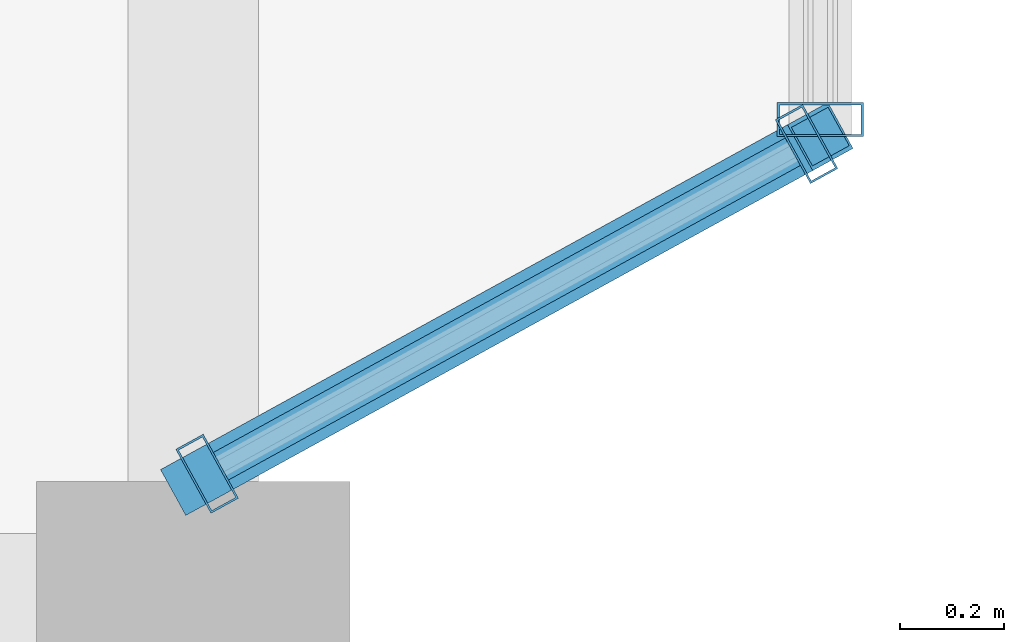
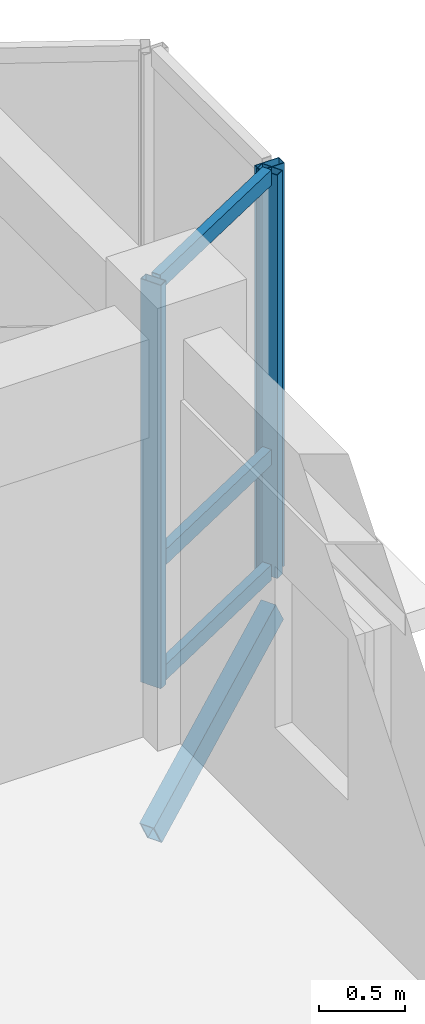
# One storey, part 8 of 124: 7 members, 2 elements without a shape of their own.
"""IFC4 building model written with IfcOpenShell, lengths in metres."""

from ifc_helpers import new_model, si_unit, direction, frame, origin, origin_2d, place, context, subcontext, project, spatial, hollow_rectangle, extrude, material, layer, layer_set, material_profile, profile_set, type_object, element, aggregate, save


model = new_model("IFC4")

# Units and contexts
model_context = context("Model", 3, precision=1e-05, world=origin(), true_north=direction((0.0, 1.0)))
body_context = subcontext(model_context, "Body", "Model", "MODEL_VIEW")
ifc_project = project(units=[si_unit("LENGTHUNIT", "METRE"), si_unit("AREAUNIT", "SQUARE_METRE"), si_unit("VOLUMEUNIT", "CUBIC_METRE"), si_unit("PLANEANGLEUNIT", "RADIAN"), si_unit("MASSUNIT", "GRAM", prefix="KILO"), si_unit("THERMODYNAMICTEMPERATUREUNIT", "KELVIN"), si_unit("POWERUNIT", "WATT")], contexts=[model_context])

# Site, building, storey
site_placement = place(None, origin())
site = spatial("IfcSite", under=ifc_project, at=site_placement, CompositionType="ELEMENT")
building_placement = place(site_placement, origin())
building = spatial("IfcBuilding", under=site, at=building_placement, Name="Tavuni Mirador Residences", CompositionType="ELEMENT")
storey_placement = place(building_placement, frame((0.0, 0.0, 7.64990234375)))
storey = spatial("IfcBuildingStorey", under=building, at=storey_placement, Name="L02", CompositionType="ELEMENT", Elevation=7.64990234375)

# Curtain wall, members
ifc_material_1 = material(Name="Anodised aluminium", Category="aluminium")
ifc_layer_1 = layer(ifc_material_1, 0.1650390625, Name="Anodised aluminium", Category="aluminium")
ifc_layer_set_1 = layer_set([ifc_layer_1], Name="Anodised aluminium")
curtain_wall_type_1 = type_object("IfcCurtainWallType", Name="CWT-MIR-A", PredefinedType="NOTDEFINED", material=ifc_layer_set_1)
curtain_wall_1_placement = place(storey_placement, origin())
curtain_wall_1 = element("IfcCurtainWall", 1, at=curtain_wall_1_placement, inside=storey, type_object=curtain_wall_type_1, Name="CW-MIR-A-E2-L02-M1", PredefinedType="NOTDEFINED")
ifc_material_profile_1 = material_profile(ifc_material_1, hollow_rectangle(XDim=0.06005859375, YDim=0.139892578125, WallThickness=0.00390625, at=origin_2d()), Name="ALU 60x140x4.0", Category="aluminium")
ifc_profile_set_1 = profile_set([ifc_material_profile_1], Name="Anodised aluminium")
member_type_1 = type_object("IfcMemberType", Name="CWM-140", PredefinedType="MULLION", material=ifc_profile_set_1)
member_1_placement = place(storey_placement, frame((32.42626953125, 21.91455078125, 0.0), z_axis=(0.0, 0.0, 1.0), x_axis=(0.876215908676, 0.481918749773, 0.0)))
member_1 = element("IfcMember", 2, at=member_1_placement, type_object=member_type_1, Name="CW-01 mullion 1", PredefinedType="MULLION", context=body_context, shape_type="SweptSolid", body=[
    extrude(hollow_rectangle(XDim=0.06005859375, YDim=0.139892578125, WallThickness=0.00390625, at=origin_2d()), origin(), (0.0, 0.0, 1.0), 2.8701171875),
])
member_2_placement = place(storey_placement, frame((33.57373046875, 22.545654296875, 0.0), z_axis=(0.0, 0.0, 1.0), x_axis=(0.876215908676, 0.481918749773, 0.0)))
member_2 = element("IfcMember", 3, at=member_2_placement, type_object=member_type_1, Name="CW-01 mullion 2", PredefinedType="MULLION", context=body_context, shape_type="SweptSolid", body=[
    extrude(hollow_rectangle(XDim=0.06005859375, YDim=0.139892578125, WallThickness=0.00390625, at=origin_2d()), origin(), (0.0, 0.0, 1.0), 2.8701171875),
])

# Curtain wall, member
ifc_layer_2 = layer(ifc_material_1, 0.14990234375, Name="Anodised aluminium", Category="aluminium")
ifc_layer_set_2 = layer_set([ifc_layer_2], Name="Anodised aluminium")
curtain_wall_type_2 = type_object("IfcCurtainWallType", Name="CWT-MIR-B", PredefinedType="NOTDEFINED", material=ifc_layer_set_2)
curtain_wall_2_placement = place(storey_placement, origin())
curtain_wall_2 = element("IfcCurtainWall", 4, at=curtain_wall_2_placement, inside=storey, type_object=curtain_wall_type_2, Name="CW-MIR-A-E2-L02-MF", PredefinedType="NOTDEFINED")
ifc_material_profile_2 = material_profile(ifc_material_1, hollow_rectangle(XDim=0.06494140625, YDim=0.1650390625, WallThickness=0.00439453125, at=origin_2d()), Name="ALU 65x165x4.5", Category="aluminium")
ifc_profile_set_2 = profile_set([ifc_material_profile_2], Name="Anodised aluminium")
member_type_2 = type_object("IfcMemberType", Name="CWM-165", PredefinedType="MULLION", material=ifc_profile_set_2)
member_3_placement = place(storey_placement, frame((33.60009765625, 22.592529296875, 0.0), z_axis=(0.0, 0.0, 1.0), x_axis=(0.0, 1.0, 0.0)))
member_3 = element("IfcMember", 5, at=member_3_placement, type_object=member_type_2, Name="CW-02 mullion 1", PredefinedType="MULLION", context=body_context, shape_type="SweptSolid", body=[
    extrude(hollow_rectangle(XDim=0.06494140625, YDim=0.1650390625, WallThickness=0.00439453125, at=origin_2d()), origin(), (0.0, 0.0, 1.0), 2.8701171875),
])
aggregate(curtain_wall_2, [member_3])

# Member
ifc_material_profile_3 = material_profile(ifc_material_1, hollow_rectangle(XDim=0.06005859375, YDim=0.110107421875, WallThickness=0.00390625, at=origin_2d()), Name="ALU 60x110x4.0", Category="aluminium")
ifc_profile_set_3 = profile_set([ifc_material_profile_3], Name="Anodised aluminium")
member_type_3 = type_object("IfcMemberType", Name="CWT-110", PredefinedType="USERDEFINED", material=ifc_profile_set_3)
member_4_placement = place(storey_placement, frame((32.45263671875, 21.928955078125, 0.030029296875), z_axis=(0.876232411382, 0.481888743637, 0.0), x_axis=(-0.481888743637, 0.876232411382, 0.0)))
member_4 = element("IfcMember", 6, at=member_4_placement, type_object=member_type_3, Name="CW-01 transom 1.1", ObjectType="TRANSOM", PredefinedType="USERDEFINED", context=body_context, shape_type="SweptSolid", body=[
    extrude(hollow_rectangle(XDim=0.06005859375, YDim=0.110107421875, WallThickness=0.00390625, at=origin_2d()), origin(), (0.0, 0.0, 1.0), 1.249267578125),
])

member_5_placement = place(storey_placement, frame((32.45263671875, 21.928955078125, 0.85009765625), z_axis=(0.876232411382, 0.481888743637, 0.0), x_axis=(-0.481888743637, 0.876232411382, 0.0)))
member_5 = element("IfcMember", 7, at=member_5_placement, type_object=member_type_3, Name="CW-01 transom 1.2", ObjectType="TRANSOM", PredefinedType="USERDEFINED", context=body_context, shape_type="SweptSolid", body=[
    extrude(hollow_rectangle(XDim=0.06005859375, YDim=0.110107421875, WallThickness=0.00390625, at=origin_2d()), origin(), (0.0, 0.0, 1.0), 1.249267578125),
])

member_6_placement = place(storey_placement, frame((32.45263671875, 21.928955078125, 2.840087890625), z_axis=(0.876232411382, 0.481888743637, 0.0), x_axis=(-0.481888743637, 0.876232411382, 0.0)))
member_6 = element("IfcMember", 8, at=member_6_placement, type_object=member_type_3, Name="CW-01 transom 1.3", ObjectType="TRANSOM", PredefinedType="USERDEFINED", context=body_context, shape_type="SweptSolid", body=[
    extrude(hollow_rectangle(XDim=0.06005859375, YDim=0.110107421875, WallThickness=0.00390625, at=origin_2d()), origin(), (0.0, 0.0, 1.0), 1.249267578125),
])

aggregate(curtain_wall_1, [member_1, member_2, member_4, member_5, member_6])

ifc_material_2 = material(Name="Structural steel S355", Category="steel")
ifc_material_profile_4 = material_profile(ifc_material_2, hollow_rectangle(XDim=0.10009765625, YDim=0.179931640625, WallThickness=0.008056640625, at=origin_2d()), Name="RHS 180x100x8.0", Category="steel")
ifc_profile_set_4 = profile_set([ifc_material_profile_4], Name="Structural steel S355")
member_type_4 = type_object("IfcMemberType", Name="MT-BR-RHS180", PredefinedType="BRACE", material=ifc_profile_set_4)
member_7_placement = place(storey_placement, frame((32.39990234375, 21.89990234375, -1.0498046875), z_axis=(0.76378889546, 0.420114966095, 0.490030548471), x_axis=(-0.4819461176, 0.876200855815, 0.0)))
element("IfcMember", 9, at=member_7_placement, inside=storey, type_object=member_type_4, Name="MBRK-MIR-A-E2-L02-1", PredefinedType="BRACE", context=body_context, shape_type="SweptSolid", body=[
    extrude(hollow_rectangle(XDim=0.10009765625, YDim=0.179931640625, WallThickness=0.008056640625, at=origin_2d()), origin(), (0.0, 0.0, 1.0), 1.5712890625),
])

save(model, "model.ifc")
